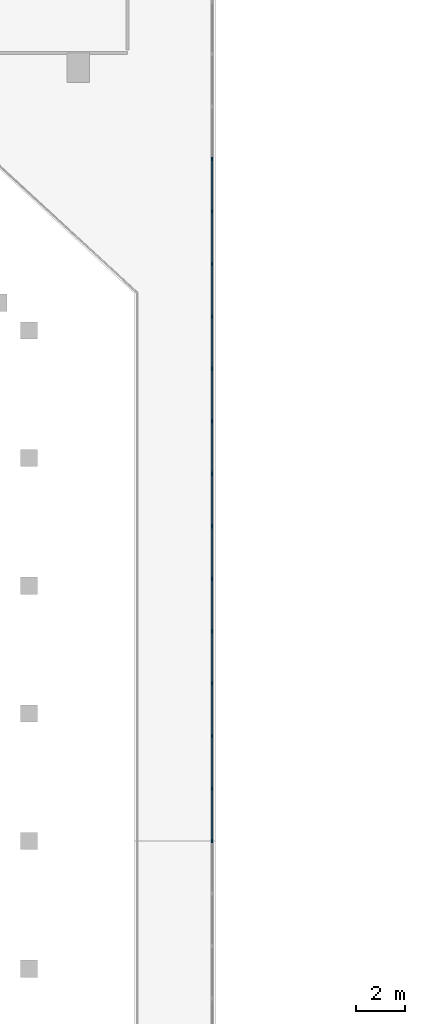
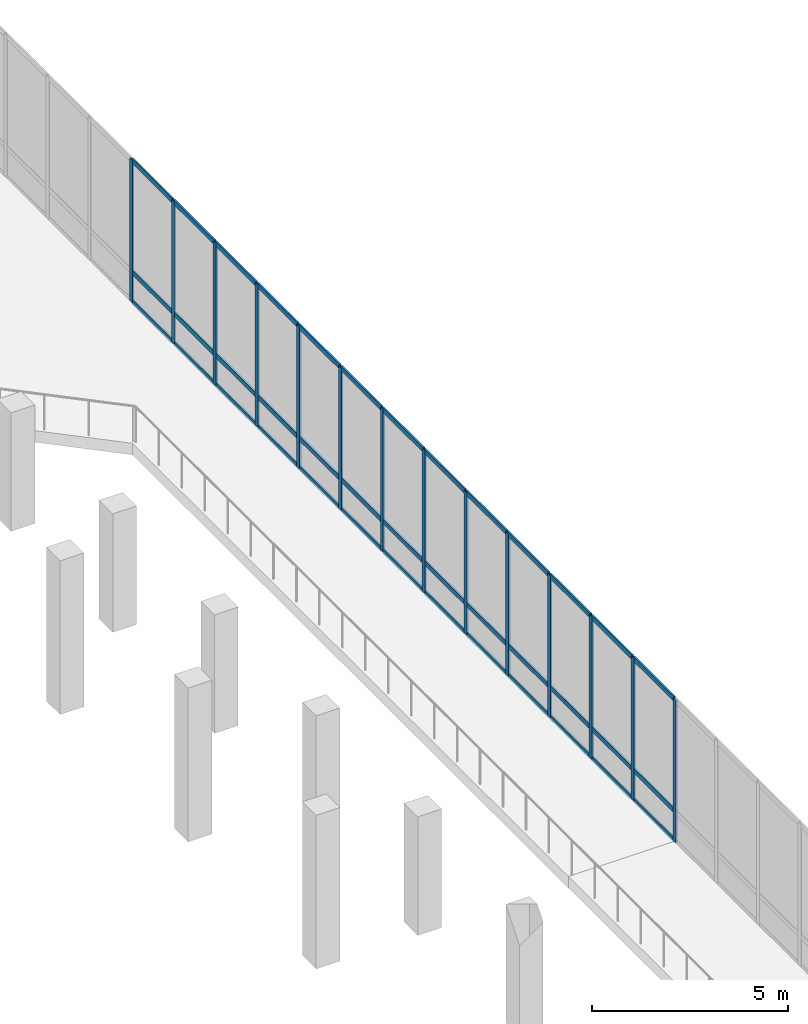
# One storey, part 34 of 126: 53 members, 1 element without a shape of its own.
"""IFC4 building model written with IfcOpenShell, lengths in metres."""

from ifc_helpers import new_model, si_unit, derived_unit, direction, frame, origin, origin_2d, place, context, subcontext, project, spatial, rectangle, extrude, material, layer, layer_set, material_profile, profile_set, type_object, element, aggregate, save


model = new_model("IFC4")

# Units and contexts
model_context = context("Model", 3, precision=1e-05, world=origin(), true_north=direction((0.0, 1.0)))
body_context = subcontext(model_context, "Body", "Model", "MODEL_VIEW")
ifc_project = project(units=[si_unit("LENGTHUNIT", "METRE"), si_unit("AREAUNIT", "SQUARE_METRE"), si_unit("VOLUMEUNIT", "CUBIC_METRE"), si_unit("PLANEANGLEUNIT", "RADIAN"), si_unit("MASSUNIT", "GRAM", prefix="KILO"), derived_unit("THERMALTRANSMITTANCEUNIT", [(si_unit("MASSUNIT", "GRAM", prefix="KILO"), 1), (si_unit("TIMEUNIT", "SECOND"), -3), (si_unit("THERMODYNAMICTEMPERATUREUNIT", "KELVIN"), -1)])], contexts=[model_context])

# Site, building, storey
site_placement = place(None, origin())
site = spatial("IfcSite", under=ifc_project, at=site_placement, CompositionType="ELEMENT")
building_placement = place(site_placement, origin())
building = spatial("IfcBuilding", under=site, at=building_placement, Name="Valcora Ridge Arena", CompositionType="ELEMENT")
storey_placement = place(building_placement, frame((0.0, 0.0, 11.39990234375)))
storey = spatial("IfcBuildingStorey", under=building, at=storey_placement, Name="L02", CompositionType="ELEMENT", Elevation=11.39990234375)

# Curtain wall, members
ifc_material = material(Name="Anodised dark bronze architectural aluminium 6063-T6", Category="aluminium")
ifc_layer = layer(ifc_material, 0.14990234375, Name="Anodised dark bronze architectural aluminium 6063-T6")
ifc_layer_set = layer_set([ifc_layer], Name="Anodised dark bronze architectural aluminium 6063-T6")
curtain_wall_type = type_object("IfcCurtainWallType", Name="TY-CURTAINWALL-CW-V1-EAST-769X44", PredefinedType="NOTDEFINED", material=ifc_layer_set)
curtain_wall_placement = place(storey_placement, origin())
curtain_wall = element("IfcCurtainWall", 1, at=curtain_wall_placement, inside=storey, type_object=curtain_wall_type, Name="CW-V1-EAST-769X44 CW-0129", PredefinedType="NOTDEFINED")
ifc_material_profile_1 = material_profile(ifc_material, rectangle(XDim=0.050048828125, YDim=0.14990234375, at=origin_2d()), Name="ALU MULLION 50x150")
ifc_profile_set_1 = profile_set([ifc_material_profile_1], Name="Anodised dark bronze architectural aluminium 6063-T6")
member_type_1 = type_object("IfcMemberType", Name="TY-MEM-CWM-50x150", PredefinedType="MULLION", material=ifc_profile_set_1)
member_1_placement = place(storey_placement, frame((99.449951171875, 64.10009765625, 0.0), z_axis=(0.0, 0.0, 1.0), x_axis=(-1.0, 0.0, 0.0)))
member_1 = element("IfcMember", 2, at=member_1_placement, type_object=member_type_1, Name="CW-0129/CWM-50x150/M18", PredefinedType="MULLION", context=body_context, shape_type="SweptSolid", body=[
    extrude(rectangle(XDim=0.050048828125, YDim=0.14990234375, at=origin_2d()), origin(), (0.0, 0.0, 1.0), 4.4501953125),
])
member_2_placement = place(storey_placement, frame((99.449951171875, 66.2373046875, 0.0), z_axis=(0.0, 0.0, 1.0), x_axis=(-1.0, 0.0, 0.0)))
member_2 = element("IfcMember", 3, at=member_2_placement, type_object=member_type_1, Name="CW-0129/CWM-50x150/M19", PredefinedType="MULLION", context=body_context, shape_type="SweptSolid", body=[
    extrude(rectangle(XDim=0.050048828125, YDim=0.14990234375, at=origin_2d()), origin(), (0.0, 0.0, 1.0), 4.4501953125),
])
member_3_placement = place(storey_placement, frame((99.449951171875, 68.374755859375, 0.0), z_axis=(0.0, 0.0, 1.0), x_axis=(-1.0, 0.0, 0.0)))
member_3 = element("IfcMember", 4, at=member_3_placement, type_object=member_type_1, Name="CW-0129/CWM-50x150/M20", PredefinedType="MULLION", context=body_context, shape_type="SweptSolid", body=[
    extrude(rectangle(XDim=0.050048828125, YDim=0.14990234375, at=origin_2d()), origin(), (0.0, 0.0, 1.0), 4.4501953125),
])
member_4_placement = place(storey_placement, frame((99.449951171875, 70.511962890625, 0.0), z_axis=(0.0, 0.0, 1.0), x_axis=(-1.0, 0.0, 0.0)))
member_4 = element("IfcMember", 5, at=member_4_placement, type_object=member_type_1, Name="CW-0129/CWM-50x150/M21", PredefinedType="MULLION", context=body_context, shape_type="SweptSolid", body=[
    extrude(rectangle(XDim=0.050048828125, YDim=0.14990234375, at=origin_2d()), origin(), (0.0, 0.0, 1.0), 4.4501953125),
])
member_5_placement = place(storey_placement, frame((99.449951171875, 72.6494140625, 0.0), z_axis=(0.0, 0.0, 1.0), x_axis=(-1.0, 0.0, 0.0)))
member_5 = element("IfcMember", 6, at=member_5_placement, type_object=member_type_1, Name="CW-0129/CWM-50x150/M22", PredefinedType="MULLION", context=body_context, shape_type="SweptSolid", body=[
    extrude(rectangle(XDim=0.050048828125, YDim=0.14990234375, at=origin_2d()), origin(), (0.0, 0.0, 1.0), 4.4501953125),
])
member_6_placement = place(storey_placement, frame((99.449951171875, 74.78662109375, 0.0), z_axis=(0.0, 0.0, 1.0), x_axis=(-1.0, 0.0, 0.0)))
member_6 = element("IfcMember", 7, at=member_6_placement, type_object=member_type_1, Name="CW-0129/CWM-50x150/M23", PredefinedType="MULLION", context=body_context, shape_type="SweptSolid", body=[
    extrude(rectangle(XDim=0.050048828125, YDim=0.14990234375, at=origin_2d()), origin(), (0.0, 0.0, 1.0), 4.4501953125),
])
member_7_placement = place(storey_placement, frame((99.449951171875, 76.924072265625, 0.0), z_axis=(0.0, 0.0, 1.0), x_axis=(-1.0, 0.0, 0.0)))
member_7 = element("IfcMember", 8, at=member_7_placement, type_object=member_type_1, Name="CW-0129/CWM-50x150/M24", PredefinedType="MULLION", context=body_context, shape_type="SweptSolid", body=[
    extrude(rectangle(XDim=0.050048828125, YDim=0.14990234375, at=origin_2d()), origin(), (0.0, 0.0, 1.0), 4.4501953125),
])
member_8_placement = place(storey_placement, frame((99.449951171875, 79.061279296875, 0.0), z_axis=(0.0, 0.0, 1.0), x_axis=(-1.0, 0.0, 0.0)))
member_8 = element("IfcMember", 9, at=member_8_placement, type_object=member_type_1, Name="CW-0129/CWM-50x150/M25", PredefinedType="MULLION", context=body_context, shape_type="SweptSolid", body=[
    extrude(rectangle(XDim=0.050048828125, YDim=0.14990234375, at=origin_2d()), origin(), (0.0, 0.0, 1.0), 4.4501953125),
])
member_9_placement = place(storey_placement, frame((99.449951171875, 81.19873046875, 0.0), z_axis=(0.0, 0.0, 1.0), x_axis=(-1.0, 0.0, 0.0)))
member_9 = element("IfcMember", 10, at=member_9_placement, type_object=member_type_1, Name="CW-0129/CWM-50x150/M26", PredefinedType="MULLION", context=body_context, shape_type="SweptSolid", body=[
    extrude(rectangle(XDim=0.050048828125, YDim=0.14990234375, at=origin_2d()), origin(), (0.0, 0.0, 1.0), 4.4501953125),
])
member_10_placement = place(storey_placement, frame((99.449951171875, 83.336181640625, 0.0), z_axis=(0.0, 0.0, 1.0), x_axis=(-1.0, 0.0, 0.0)))
member_10 = element("IfcMember", 11, at=member_10_placement, type_object=member_type_1, Name="CW-0129/CWM-50x150/M27", PredefinedType="MULLION", context=body_context, shape_type="SweptSolid", body=[
    extrude(rectangle(XDim=0.050048828125, YDim=0.14990234375, at=origin_2d()), origin(), (0.0, 0.0, 1.0), 4.4501953125),
])
member_11_placement = place(storey_placement, frame((99.449951171875, 85.473388671875, 0.0), z_axis=(0.0, 0.0, 1.0), x_axis=(-1.0, 0.0, 0.0)))
member_11 = element("IfcMember", 12, at=member_11_placement, type_object=member_type_1, Name="CW-0129/CWM-50x150/M28", PredefinedType="MULLION", context=body_context, shape_type="SweptSolid", body=[
    extrude(rectangle(XDim=0.050048828125, YDim=0.14990234375, at=origin_2d()), origin(), (0.0, 0.0, 1.0), 4.4501953125),
])
member_12_placement = place(storey_placement, frame((99.449951171875, 87.61083984375, 0.0), z_axis=(0.0, 0.0, 1.0), x_axis=(-1.0, 0.0, 0.0)))
member_12 = element("IfcMember", 13, at=member_12_placement, type_object=member_type_1, Name="CW-0129/CWM-50x150/M29", PredefinedType="MULLION", context=body_context, shape_type="SweptSolid", body=[
    extrude(rectangle(XDim=0.050048828125, YDim=0.14990234375, at=origin_2d()), origin(), (0.0, 0.0, 1.0), 4.4501953125),
])
member_13_placement = place(storey_placement, frame((99.449951171875, 89.748291015625, 0.0), z_axis=(0.0, 0.0, 1.0), x_axis=(-1.0, 0.0, 0.0)))
member_13 = element("IfcMember", 14, at=member_13_placement, type_object=member_type_1, Name="CW-0129/CWM-50x150/M30", PredefinedType="MULLION", context=body_context, shape_type="SweptSolid", body=[
    extrude(rectangle(XDim=0.050048828125, YDim=0.14990234375, at=origin_2d()), origin(), (0.0, 0.0, 1.0), 4.4501953125),
])
member_14_placement = place(storey_placement, frame((99.449951171875, 91.885498046875, 0.0), z_axis=(0.0, 0.0, 1.0), x_axis=(-1.0, 0.0, 0.0)))
member_14 = element("IfcMember", 15, at=member_14_placement, type_object=member_type_1, Name="CW-0129/CWM-50x150/M31", PredefinedType="MULLION", context=body_context, shape_type="SweptSolid", body=[
    extrude(rectangle(XDim=0.050048828125, YDim=0.14990234375, at=origin_2d()), origin(), (0.0, 0.0, 1.0), 4.4501953125),
])
ifc_material_profile_2 = material_profile(ifc_material, rectangle(XDim=0.050048828125, YDim=0.14990234375, at=origin_2d()), Name="ALU TRANSOM 50x150")
ifc_profile_set_2 = profile_set([ifc_material_profile_2], Name="Anodised dark bronze architectural aluminium 6063-T6")
member_type_2 = type_object("IfcMemberType", Name="TY-MEM-CWT-50x150", PredefinedType="USERDEFINED", material=ifc_profile_set_2)
member_15_placement = place(storey_placement, frame((99.449951171875, 64.124755859375, 0.025146484375), z_axis=(0.0, 1.0, 0.0), x_axis=(-1.0, 0.0, 0.0)))
member_15 = element("IfcMember", 16, at=member_15_placement, type_object=member_type_2, Name="CW-0129/CWT-50x150/T18-00", ObjectType="TRANSOM", PredefinedType="USERDEFINED", context=body_context, shape_type="SweptSolid", body=[
    extrude(rectangle(XDim=0.050048828125, YDim=0.14990234375, at=origin_2d()), origin(), (0.0, 0.0, 1.0), 2.087890625),
])
member_16_placement = place(storey_placement, frame((99.449951171875, 64.124755859375, 0.9501953125), z_axis=(0.0, 1.0, 0.0), x_axis=(-1.0, 0.0, 0.0)))
member_16 = element("IfcMember", 17, at=member_16_placement, type_object=member_type_2, Name="CW-0129/CWT-50x150/T18-01", ObjectType="TRANSOM", PredefinedType="USERDEFINED", context=body_context, shape_type="SweptSolid", body=[
    extrude(rectangle(XDim=0.050048828125, YDim=0.14990234375, at=origin_2d()), origin(), (0.0, 0.0, 1.0), 2.087890625),
])
member_17_placement = place(storey_placement, frame((99.449951171875, 64.124755859375, 4.425048828125), z_axis=(0.0, 1.0, 0.0), x_axis=(-1.0, 0.0, 0.0)))
member_17 = element("IfcMember", 18, at=member_17_placement, type_object=member_type_2, Name="CW-0129/CWT-50x150/T18-02", ObjectType="TRANSOM", PredefinedType="USERDEFINED", context=body_context, shape_type="SweptSolid", body=[
    extrude(rectangle(XDim=0.050048828125, YDim=0.14990234375, at=origin_2d()), origin(), (0.0, 0.0, 1.0), 2.087890625),
])
member_18_placement = place(storey_placement, frame((99.449951171875, 66.2626953125, 0.025146484375), z_axis=(0.0, 1.0, 0.0), x_axis=(-1.0, 0.0, 0.0)))
member_18 = element("IfcMember", 19, at=member_18_placement, type_object=member_type_2, Name="CW-0129/CWT-50x150/T19-00", ObjectType="TRANSOM", PredefinedType="USERDEFINED", context=body_context, shape_type="SweptSolid", body=[
    extrude(rectangle(XDim=0.050048828125, YDim=0.14990234375, at=origin_2d()), origin(), (0.0, 0.0, 1.0), 2.0869140625),
])
member_19_placement = place(storey_placement, frame((99.449951171875, 66.2626953125, 0.9501953125), z_axis=(0.0, 1.0, 0.0), x_axis=(-1.0, 0.0, 0.0)))
member_19 = element("IfcMember", 20, at=member_19_placement, type_object=member_type_2, Name="CW-0129/CWT-50x150/T19-01", ObjectType="TRANSOM", PredefinedType="USERDEFINED", context=body_context, shape_type="SweptSolid", body=[
    extrude(rectangle(XDim=0.050048828125, YDim=0.14990234375, at=origin_2d()), origin(), (0.0, 0.0, 1.0), 2.0869140625),
])
member_20_placement = place(storey_placement, frame((99.449951171875, 66.2626953125, 4.425048828125), z_axis=(0.0, 1.0, 0.0), x_axis=(-1.0, 0.0, 0.0)))
member_20 = element("IfcMember", 21, at=member_20_placement, type_object=member_type_2, Name="CW-0129/CWT-50x150/T19-02", ObjectType="TRANSOM", PredefinedType="USERDEFINED", context=body_context, shape_type="SweptSolid", body=[
    extrude(rectangle(XDim=0.050048828125, YDim=0.14990234375, at=origin_2d()), origin(), (0.0, 0.0, 1.0), 2.0869140625),
])
member_21_placement = place(storey_placement, frame((99.449951171875, 68.399658203125, 0.025146484375), z_axis=(0.0, 1.0, 0.0), x_axis=(-1.0, 0.0, 0.0)))
member_21 = element("IfcMember", 22, at=member_21_placement, type_object=member_type_2, Name="CW-0129/CWT-50x150/T20-00", ObjectType="TRANSOM", PredefinedType="USERDEFINED", context=body_context, shape_type="SweptSolid", body=[
    extrude(rectangle(XDim=0.050048828125, YDim=0.14990234375, at=origin_2d()), origin(), (0.0, 0.0, 1.0), 2.087158203125),
])
member_22_placement = place(storey_placement, frame((99.449951171875, 68.399658203125, 0.9501953125), z_axis=(0.0, 1.0, 0.0), x_axis=(-1.0, 0.0, 0.0)))
member_22 = element("IfcMember", 23, at=member_22_placement, type_object=member_type_2, Name="CW-0129/CWT-50x150/T20-01", ObjectType="TRANSOM", PredefinedType="USERDEFINED", context=body_context, shape_type="SweptSolid", body=[
    extrude(rectangle(XDim=0.050048828125, YDim=0.14990234375, at=origin_2d()), origin(), (0.0, 0.0, 1.0), 2.087158203125),
])
member_23_placement = place(storey_placement, frame((99.449951171875, 68.399658203125, 4.425048828125), z_axis=(0.0, 1.0, 0.0), x_axis=(-1.0, 0.0, 0.0)))
member_23 = element("IfcMember", 24, at=member_23_placement, type_object=member_type_2, Name="CW-0129/CWT-50x150/T20-02", ObjectType="TRANSOM", PredefinedType="USERDEFINED", context=body_context, shape_type="SweptSolid", body=[
    extrude(rectangle(XDim=0.050048828125, YDim=0.14990234375, at=origin_2d()), origin(), (0.0, 0.0, 1.0), 2.087158203125),
])
member_24_placement = place(storey_placement, frame((99.449951171875, 70.53662109375, 0.025146484375), z_axis=(0.0, 1.0, 0.0), x_axis=(-1.0, 0.0, 0.0)))
member_24 = element("IfcMember", 25, at=member_24_placement, type_object=member_type_2, Name="CW-0129/CWT-50x150/T21-00", ObjectType="TRANSOM", PredefinedType="USERDEFINED", context=body_context, shape_type="SweptSolid", body=[
    extrude(rectangle(XDim=0.050048828125, YDim=0.14990234375, at=origin_2d()), origin(), (0.0, 0.0, 1.0), 2.088134765625),
])
member_25_placement = place(storey_placement, frame((99.449951171875, 70.53662109375, 0.9501953125), z_axis=(0.0, 1.0, 0.0), x_axis=(-1.0, 0.0, 0.0)))
member_25 = element("IfcMember", 26, at=member_25_placement, type_object=member_type_2, Name="CW-0129/CWT-50x150/T21-01", ObjectType="TRANSOM", PredefinedType="USERDEFINED", context=body_context, shape_type="SweptSolid", body=[
    extrude(rectangle(XDim=0.050048828125, YDim=0.14990234375, at=origin_2d()), origin(), (0.0, 0.0, 1.0), 2.088134765625),
])
member_26_placement = place(storey_placement, frame((99.449951171875, 70.53662109375, 4.425048828125), z_axis=(0.0, 1.0, 0.0), x_axis=(-1.0, 0.0, 0.0)))
member_26 = element("IfcMember", 27, at=member_26_placement, type_object=member_type_2, Name="CW-0129/CWT-50x150/T21-02", ObjectType="TRANSOM", PredefinedType="USERDEFINED", context=body_context, shape_type="SweptSolid", body=[
    extrude(rectangle(XDim=0.050048828125, YDim=0.14990234375, at=origin_2d()), origin(), (0.0, 0.0, 1.0), 2.088134765625),
])
member_27_placement = place(storey_placement, frame((99.449951171875, 72.6748046875, 0.025146484375), z_axis=(0.0, 1.0, 0.0), x_axis=(-1.0, 0.0, 0.0)))
member_27 = element("IfcMember", 28, at=member_27_placement, type_object=member_type_2, Name="CW-0129/CWT-50x150/T22-00", ObjectType="TRANSOM", PredefinedType="USERDEFINED", context=body_context, shape_type="SweptSolid", body=[
    extrude(rectangle(XDim=0.050048828125, YDim=0.14990234375, at=origin_2d()), origin(), (0.0, 0.0, 1.0), 2.0869140625),
])
member_28_placement = place(storey_placement, frame((99.449951171875, 72.6748046875, 0.9501953125), z_axis=(0.0, 1.0, 0.0), x_axis=(-1.0, 0.0, 0.0)))
member_28 = element("IfcMember", 29, at=member_28_placement, type_object=member_type_2, Name="CW-0129/CWT-50x150/T22-01", ObjectType="TRANSOM", PredefinedType="USERDEFINED", context=body_context, shape_type="SweptSolid", body=[
    extrude(rectangle(XDim=0.050048828125, YDim=0.14990234375, at=origin_2d()), origin(), (0.0, 0.0, 1.0), 2.0869140625),
])
member_29_placement = place(storey_placement, frame((99.449951171875, 72.6748046875, 4.425048828125), z_axis=(0.0, 1.0, 0.0), x_axis=(-1.0, 0.0, 0.0)))
member_29 = element("IfcMember", 30, at=member_29_placement, type_object=member_type_2, Name="CW-0129/CWT-50x150/T22-02", ObjectType="TRANSOM", PredefinedType="USERDEFINED", context=body_context, shape_type="SweptSolid", body=[
    extrude(rectangle(XDim=0.050048828125, YDim=0.14990234375, at=origin_2d()), origin(), (0.0, 0.0, 1.0), 2.0869140625),
])
member_30_placement = place(storey_placement, frame((99.449951171875, 74.811767578125, 0.025146484375), z_axis=(0.0, 1.0, 0.0), x_axis=(-1.0, 0.0, 0.0)))
member_30 = element("IfcMember", 31, at=member_30_placement, type_object=member_type_2, Name="CW-0129/CWT-50x150/T23-00", ObjectType="TRANSOM", PredefinedType="USERDEFINED", context=body_context, shape_type="SweptSolid", body=[
    extrude(rectangle(XDim=0.050048828125, YDim=0.14990234375, at=origin_2d()), origin(), (0.0, 0.0, 1.0), 2.0869140625),
])
member_31_placement = place(storey_placement, frame((99.449951171875, 74.811767578125, 0.9501953125), z_axis=(0.0, 1.0, 0.0), x_axis=(-1.0, 0.0, 0.0)))
member_31 = element("IfcMember", 32, at=member_31_placement, type_object=member_type_2, Name="CW-0129/CWT-50x150/T23-01", ObjectType="TRANSOM", PredefinedType="USERDEFINED", context=body_context, shape_type="SweptSolid", body=[
    extrude(rectangle(XDim=0.050048828125, YDim=0.14990234375, at=origin_2d()), origin(), (0.0, 0.0, 1.0), 2.0869140625),
])
member_32_placement = place(storey_placement, frame((99.449951171875, 74.811767578125, 4.425048828125), z_axis=(0.0, 1.0, 0.0), x_axis=(-1.0, 0.0, 0.0)))
member_32 = element("IfcMember", 33, at=member_32_placement, type_object=member_type_2, Name="CW-0129/CWT-50x150/T23-02", ObjectType="TRANSOM", PredefinedType="USERDEFINED", context=body_context, shape_type="SweptSolid", body=[
    extrude(rectangle(XDim=0.050048828125, YDim=0.14990234375, at=origin_2d()), origin(), (0.0, 0.0, 1.0), 2.0869140625),
])
member_33_placement = place(storey_placement, frame((99.449951171875, 76.94873046875, 0.025146484375), z_axis=(0.0, 1.0, 0.0), x_axis=(-1.0, 0.0, 0.0)))
member_33 = element("IfcMember", 34, at=member_33_placement, type_object=member_type_2, Name="CW-0129/CWT-50x150/T24-00", ObjectType="TRANSOM", PredefinedType="USERDEFINED", context=body_context, shape_type="SweptSolid", body=[
    extrude(rectangle(XDim=0.050048828125, YDim=0.14990234375, at=origin_2d()), origin(), (0.0, 0.0, 1.0), 2.087890625),
])
member_34_placement = place(storey_placement, frame((99.449951171875, 76.94873046875, 0.9501953125), z_axis=(0.0, 1.0, 0.0), x_axis=(-1.0, 0.0, 0.0)))
member_34 = element("IfcMember", 35, at=member_34_placement, type_object=member_type_2, Name="CW-0129/CWT-50x150/T24-01", ObjectType="TRANSOM", PredefinedType="USERDEFINED", context=body_context, shape_type="SweptSolid", body=[
    extrude(rectangle(XDim=0.050048828125, YDim=0.14990234375, at=origin_2d()), origin(), (0.0, 0.0, 1.0), 2.087890625),
])
member_35_placement = place(storey_placement, frame((99.449951171875, 76.94873046875, 4.425048828125), z_axis=(0.0, 1.0, 0.0), x_axis=(-1.0, 0.0, 0.0)))
member_35 = element("IfcMember", 36, at=member_35_placement, type_object=member_type_2, Name="CW-0129/CWT-50x150/T24-02", ObjectType="TRANSOM", PredefinedType="USERDEFINED", context=body_context, shape_type="SweptSolid", body=[
    extrude(rectangle(XDim=0.050048828125, YDim=0.14990234375, at=origin_2d()), origin(), (0.0, 0.0, 1.0), 2.087890625),
])
member_36_placement = place(storey_placement, frame((99.449951171875, 79.086669921875, 0.025146484375), z_axis=(0.0, 1.0, 0.0), x_axis=(-1.0, 0.0, 0.0)))
member_36 = element("IfcMember", 37, at=member_36_placement, type_object=member_type_2, Name="CW-0129/CWT-50x150/T25-00", ObjectType="TRANSOM", PredefinedType="USERDEFINED", context=body_context, shape_type="SweptSolid", body=[
    extrude(rectangle(XDim=0.050048828125, YDim=0.14990234375, at=origin_2d()), origin(), (0.0, 0.0, 1.0), 2.0869140625),
])
member_37_placement = place(storey_placement, frame((99.449951171875, 79.086669921875, 0.9501953125), z_axis=(0.0, 1.0, 0.0), x_axis=(-1.0, 0.0, 0.0)))
member_37 = element("IfcMember", 38, at=member_37_placement, type_object=member_type_2, Name="CW-0129/CWT-50x150/T25-01", ObjectType="TRANSOM", PredefinedType="USERDEFINED", context=body_context, shape_type="SweptSolid", body=[
    extrude(rectangle(XDim=0.050048828125, YDim=0.14990234375, at=origin_2d()), origin(), (0.0, 0.0, 1.0), 2.0869140625),
])
member_38_placement = place(storey_placement, frame((99.449951171875, 79.086669921875, 4.425048828125), z_axis=(0.0, 1.0, 0.0), x_axis=(-1.0, 0.0, 0.0)))
member_38 = element("IfcMember", 39, at=member_38_placement, type_object=member_type_2, Name="CW-0129/CWT-50x150/T25-02", ObjectType="TRANSOM", PredefinedType="USERDEFINED", context=body_context, shape_type="SweptSolid", body=[
    extrude(rectangle(XDim=0.050048828125, YDim=0.14990234375, at=origin_2d()), origin(), (0.0, 0.0, 1.0), 2.0869140625),
])
member_39_placement = place(storey_placement, frame((99.449951171875, 81.2236328125, 0.025146484375), z_axis=(0.0, 1.0, 0.0), x_axis=(-1.0, 0.0, 0.0)))
member_39 = element("IfcMember", 40, at=member_39_placement, type_object=member_type_2, Name="CW-0129/CWT-50x150/T26-00", ObjectType="TRANSOM", PredefinedType="USERDEFINED", context=body_context, shape_type="SweptSolid", body=[
    extrude(rectangle(XDim=0.050048828125, YDim=0.14990234375, at=origin_2d()), origin(), (0.0, 0.0, 1.0), 2.087158203125),
])
member_40_placement = place(storey_placement, frame((99.449951171875, 81.2236328125, 0.9501953125), z_axis=(0.0, 1.0, 0.0), x_axis=(-1.0, 0.0, 0.0)))
member_40 = element("IfcMember", 41, at=member_40_placement, type_object=member_type_2, Name="CW-0129/CWT-50x150/T26-01", ObjectType="TRANSOM", PredefinedType="USERDEFINED", context=body_context, shape_type="SweptSolid", body=[
    extrude(rectangle(XDim=0.050048828125, YDim=0.14990234375, at=origin_2d()), origin(), (0.0, 0.0, 1.0), 2.087158203125),
])
member_41_placement = place(storey_placement, frame((99.449951171875, 81.2236328125, 4.425048828125), z_axis=(0.0, 1.0, 0.0), x_axis=(-1.0, 0.0, 0.0)))
member_41 = element("IfcMember", 42, at=member_41_placement, type_object=member_type_2, Name="CW-0129/CWT-50x150/T26-02", ObjectType="TRANSOM", PredefinedType="USERDEFINED", context=body_context, shape_type="SweptSolid", body=[
    extrude(rectangle(XDim=0.050048828125, YDim=0.14990234375, at=origin_2d()), origin(), (0.0, 0.0, 1.0), 2.087158203125),
])
member_42_placement = place(storey_placement, frame((99.449951171875, 83.360595703125, 0.025146484375), z_axis=(0.0, 1.0, 0.0), x_axis=(-1.0, 0.0, 0.0)))
member_42 = element("IfcMember", 43, at=member_42_placement, type_object=member_type_2, Name="CW-0129/CWT-50x150/T27-00", ObjectType="TRANSOM", PredefinedType="USERDEFINED", context=body_context, shape_type="SweptSolid", body=[
    extrude(rectangle(XDim=0.050048828125, YDim=0.14990234375, at=origin_2d()), origin(), (0.0, 0.0, 1.0), 2.088134765625),
])
member_43_placement = place(storey_placement, frame((99.449951171875, 83.360595703125, 0.9501953125), z_axis=(0.0, 1.0, 0.0), x_axis=(-1.0, 0.0, 0.0)))
member_43 = element("IfcMember", 44, at=member_43_placement, type_object=member_type_2, Name="CW-0129/CWT-50x150/T27-01", ObjectType="TRANSOM", PredefinedType="USERDEFINED", context=body_context, shape_type="SweptSolid", body=[
    extrude(rectangle(XDim=0.050048828125, YDim=0.14990234375, at=origin_2d()), origin(), (0.0, 0.0, 1.0), 2.088134765625),
])
member_44_placement = place(storey_placement, frame((99.449951171875, 83.360595703125, 4.425048828125), z_axis=(0.0, 1.0, 0.0), x_axis=(-1.0, 0.0, 0.0)))
member_44 = element("IfcMember", 45, at=member_44_placement, type_object=member_type_2, Name="CW-0129/CWT-50x150/T27-02", ObjectType="TRANSOM", PredefinedType="USERDEFINED", context=body_context, shape_type="SweptSolid", body=[
    extrude(rectangle(XDim=0.050048828125, YDim=0.14990234375, at=origin_2d()), origin(), (0.0, 0.0, 1.0), 2.088134765625),
])
member_45_placement = place(storey_placement, frame((99.449951171875, 85.498779296875, 0.025146484375), z_axis=(0.0, 1.0, 0.0), x_axis=(-1.0, 0.0, 0.0)))
member_45 = element("IfcMember", 46, at=member_45_placement, type_object=member_type_2, Name="CW-0129/CWT-50x150/T28-00", ObjectType="TRANSOM", PredefinedType="USERDEFINED", context=body_context, shape_type="SweptSolid", body=[
    extrude(rectangle(XDim=0.050048828125, YDim=0.14990234375, at=origin_2d()), origin(), (0.0, 0.0, 1.0), 2.0869140625),
])
member_46_placement = place(storey_placement, frame((99.449951171875, 85.498779296875, 0.9501953125), z_axis=(0.0, 1.0, 0.0), x_axis=(-1.0, 0.0, 0.0)))
member_46 = element("IfcMember", 47, at=member_46_placement, type_object=member_type_2, Name="CW-0129/CWT-50x150/T28-01", ObjectType="TRANSOM", PredefinedType="USERDEFINED", context=body_context, shape_type="SweptSolid", body=[
    extrude(rectangle(XDim=0.050048828125, YDim=0.14990234375, at=origin_2d()), origin(), (0.0, 0.0, 1.0), 2.0869140625),
])
member_47_placement = place(storey_placement, frame((99.449951171875, 85.498779296875, 4.425048828125), z_axis=(0.0, 1.0, 0.0), x_axis=(-1.0, 0.0, 0.0)))
member_47 = element("IfcMember", 48, at=member_47_placement, type_object=member_type_2, Name="CW-0129/CWT-50x150/T28-02", ObjectType="TRANSOM", PredefinedType="USERDEFINED", context=body_context, shape_type="SweptSolid", body=[
    extrude(rectangle(XDim=0.050048828125, YDim=0.14990234375, at=origin_2d()), origin(), (0.0, 0.0, 1.0), 2.0869140625),
])
member_48_placement = place(storey_placement, frame((99.449951171875, 87.6357421875, 0.025146484375), z_axis=(0.0, 1.0, 0.0), x_axis=(-1.0, 0.0, 0.0)))
member_48 = element("IfcMember", 49, at=member_48_placement, type_object=member_type_2, Name="CW-0129/CWT-50x150/T29-00", ObjectType="TRANSOM", PredefinedType="USERDEFINED", context=body_context, shape_type="SweptSolid", body=[
    extrude(rectangle(XDim=0.050048828125, YDim=0.14990234375, at=origin_2d()), origin(), (0.0, 0.0, 1.0), 2.0869140625),
])
member_49_placement = place(storey_placement, frame((99.449951171875, 87.6357421875, 0.9501953125), z_axis=(0.0, 1.0, 0.0), x_axis=(-1.0, 0.0, 0.0)))
member_49 = element("IfcMember", 50, at=member_49_placement, type_object=member_type_2, Name="CW-0129/CWT-50x150/T29-01", ObjectType="TRANSOM", PredefinedType="USERDEFINED", context=body_context, shape_type="SweptSolid", body=[
    extrude(rectangle(XDim=0.050048828125, YDim=0.14990234375, at=origin_2d()), origin(), (0.0, 0.0, 1.0), 2.0869140625),
])
member_50_placement = place(storey_placement, frame((99.449951171875, 87.6357421875, 4.425048828125), z_axis=(0.0, 1.0, 0.0), x_axis=(-1.0, 0.0, 0.0)))
member_50 = element("IfcMember", 51, at=member_50_placement, type_object=member_type_2, Name="CW-0129/CWT-50x150/T29-02", ObjectType="TRANSOM", PredefinedType="USERDEFINED", context=body_context, shape_type="SweptSolid", body=[
    extrude(rectangle(XDim=0.050048828125, YDim=0.14990234375, at=origin_2d()), origin(), (0.0, 0.0, 1.0), 2.0869140625),
])
member_51_placement = place(storey_placement, frame((99.449951171875, 89.772705078125, 0.025146484375), z_axis=(0.0, 1.0, 0.0), x_axis=(-1.0, 0.0, 0.0)))
member_51 = element("IfcMember", 52, at=member_51_placement, type_object=member_type_2, Name="CW-0129/CWT-50x150/T30-00", ObjectType="TRANSOM", PredefinedType="USERDEFINED", context=body_context, shape_type="SweptSolid", body=[
    extrude(rectangle(XDim=0.050048828125, YDim=0.14990234375, at=origin_2d()), origin(), (0.0, 0.0, 1.0), 2.087890625),
])
member_52_placement = place(storey_placement, frame((99.449951171875, 89.772705078125, 0.9501953125), z_axis=(0.0, 1.0, 0.0), x_axis=(-1.0, 0.0, 0.0)))
member_52 = element("IfcMember", 53, at=member_52_placement, type_object=member_type_2, Name="CW-0129/CWT-50x150/T30-01", ObjectType="TRANSOM", PredefinedType="USERDEFINED", context=body_context, shape_type="SweptSolid", body=[
    extrude(rectangle(XDim=0.050048828125, YDim=0.14990234375, at=origin_2d()), origin(), (0.0, 0.0, 1.0), 2.087890625),
])
member_53_placement = place(storey_placement, frame((99.449951171875, 89.772705078125, 4.425048828125), z_axis=(0.0, 1.0, 0.0), x_axis=(-1.0, 0.0, 0.0)))
member_53 = element("IfcMember", 54, at=member_53_placement, type_object=member_type_2, Name="CW-0129/CWT-50x150/T30-02", ObjectType="TRANSOM", PredefinedType="USERDEFINED", context=body_context, shape_type="SweptSolid", body=[
    extrude(rectangle(XDim=0.050048828125, YDim=0.14990234375, at=origin_2d()), origin(), (0.0, 0.0, 1.0), 2.087890625),
])
aggregate(curtain_wall, [member_1, member_2, member_3, member_4, member_5, member_6, member_7, member_8, member_9, member_10, member_11, member_12, member_13, member_14, member_15, member_16, member_17, member_18, member_19, member_20, member_21, member_22, member_23, member_24, member_25, member_26, member_27, member_28, member_29, member_30, member_31, member_32, member_33, member_34, member_35, member_36, member_37, member_38, member_39, member_40, member_41, member_42, member_43, member_44, member_45, member_46, member_47, member_48, member_49, member_50, member_51, member_52, member_53])

save(model, "model.ifc")
